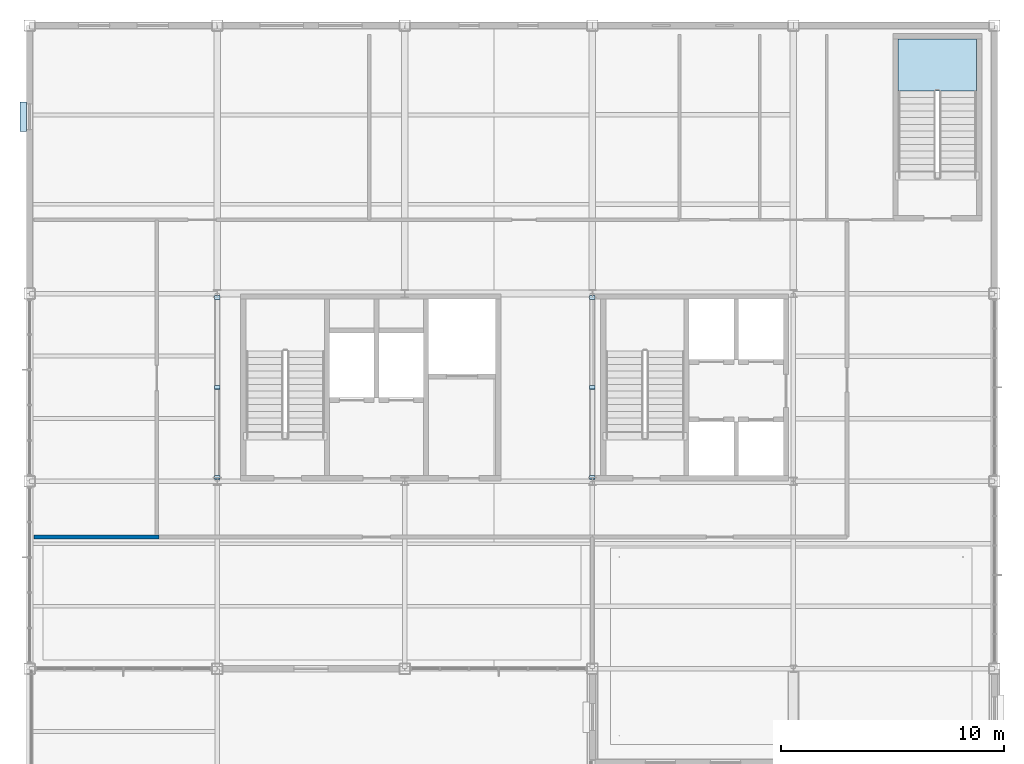
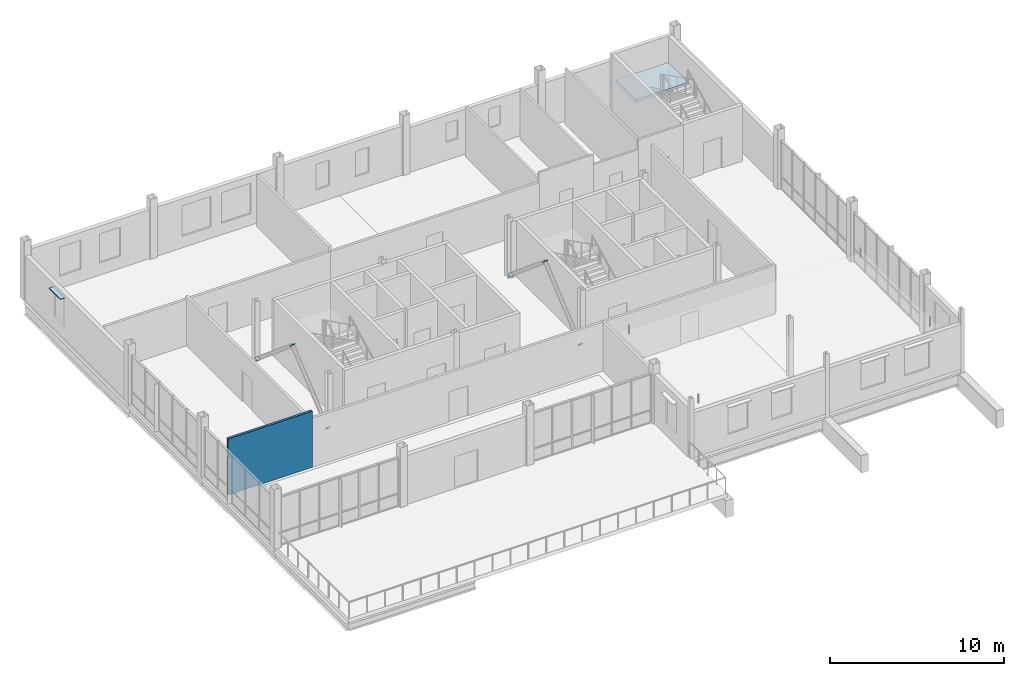
# One storey, part 13 of 22: 7 plates, 1 slab, 1 wall, 1 element without a shape of its own.
"""IFC4 building model written with IfcOpenShell, lengths in metres."""

from ifc_helpers import new_model, si_unit, direction, frame, frame_2d, origin, origin_2d, place, context, subcontext, project, spatial, polyline, rectangle, outline, extrude, material, layer, layer_set, type_object, element, aggregate, save


model = new_model("IFC4")

# Units and contexts
model_context = context("Model", 3, precision=1e-05, world=origin(), true_north=direction((0.0, 1.0)))
body_context = subcontext(model_context, "Body", "Model", "MODEL_VIEW")
ifc_project = project(units=[si_unit("LENGTHUNIT", "METRE"), si_unit("AREAUNIT", "SQUARE_METRE"), si_unit("VOLUMEUNIT", "CUBIC_METRE"), si_unit("PLANEANGLEUNIT", "RADIAN"), si_unit("MASSUNIT", "GRAM", prefix="KILO")], contexts=[model_context])

# Site, building, storey
site_placement = place(None, origin())
site = spatial("IfcSite", under=ifc_project, at=site_placement, CompositionType="ELEMENT")
building_placement = place(site_placement, origin())
building = spatial("IfcBuilding", under=site, at=building_placement, Name="Yukiwa Park Conservatory and Herbarium", CompositionType="ELEMENT")
storey_placement = place(building_placement, frame((0.0, 0.0, 35.39990234375)))
storey = spatial("IfcBuildingStorey", under=building, at=storey_placement, Name="L09", CompositionType="ELEMENT", Elevation=35.39990234375)

# Plates
ifc_material_1 = material(Name="Steel Q355D", Category="steel")
ifc_layer_1 = layer(ifc_material_1, 0.02392578125)
ifc_layer_set_1 = layer_set([ifc_layer_1], Name="Steel Q355D")
plate_type_1 = type_object("IfcPlateType", Name="PL-CAP-24-INT", PredefinedType="USERDEFINED", material=ifc_layer_set_1)
for number, where, z_axis, x_axis, name in (
    (1, (133.199951171875, 94.9765625, 0.197998046875), (0.0, -0.76570486479, -0.643192086423), (1.0, 0.0, 0.0), "Hollow section end cap plate CAP-BR-L09-049A"),
    (2, (133.199951171875, 98.993896484375, 3.56787109375), (0.0, 0.76570486479, 0.643192086423), (-1.0, 0.0, 0.0), "Hollow section end cap plate CAP-BR-L09-049B"),
    (3, (133.199951171875, 103.0234375, 0.197998046875), (0.0, 0.76570486479, -0.643192086423), (-1.0, 0.0, 0.0), "Hollow section end cap plate CAP-BR-L09-050A"),
    (4, (150.0, 94.9765625, 0.197998046875), (0.0, -0.76570486479, -0.643192086423), (1.0, 0.0, 0.0), "Hollow section end cap plate CAP-BR-L09-051A"),
    (5, (150.0, 98.993896484375, 3.56787109375), (0.0, 0.76570486479, 0.643192086423), (-1.0, 0.0, 0.0), "Hollow section end cap plate CAP-BR-L09-051B"),
    (6, (150.0, 103.0234375, 0.197998046875), (0.0, 0.76570486479, -0.643192086423), (-1.0, 0.0, 0.0), "Hollow section end cap plate CAP-BR-L09-052A"),
):
    element("IfcPlate", number, at=place(storey_placement, frame(where, z_axis=z_axis, x_axis=x_axis)), inside=storey, type_object=plate_type_1, Name=name, ObjectType="END CAP PLATE", PredefinedType="USERDEFINED", context=body_context, shape_type="SweptSolid", body=[
        extrude(rectangle(XDim=0.25244140625, YDim=0.25244140625, at=origin_2d()), origin(), (0.0, 0.0, 1.0), 0.02392578125),
    ])
ifc_material_2 = material(Name="Anodised Aluminium", Category="aluminium")
ifc_layer_2 = layer(ifc_material_2, 0.0400390625)
ifc_layer_set_2 = layer_set([ifc_layer_2], Name="Anodised Aluminium")
plate_type_2 = type_object("IfcPlateType", Name="PL-SHADE-ALU-40", PredefinedType="SHEET", material=ifc_layer_set_2)
plate_placement = place(storey_placement, frame((124.52001953125, 111.116943359375, 2.900146484375), z_axis=(0.0, 0.0, 1.0), x_axis=(0.0, -1.0, 0.0)))
element("IfcPlate", 7, at=plate_placement, inside=storey, type_object=plate_type_2, Name="L09 snow-shedding window hood 172", PredefinedType="SHEET", context=body_context, shape_type="SweptSolid", body=[
    extrude(rectangle(XDim=1.31005859375, YDim=0.300048828125, at=origin_2d()), origin(), (0.0, 0.0, 1.0), 0.0400390625),
])

# Stair, slab
ifc_material_3 = material(Name="Concrete C40", Category="concrete")
stair_type = type_object("IfcStairType", Name="ST-DOGLEG-ST-T3", PredefinedType="HALF_TURN_STAIR", material=ifc_material_3)
stair_placement = place(storey_placement, origin())
stair = element("IfcStair", 8, at=stair_placement, inside=storey, type_object=stair_type, Name="L09 Protected Smoke-Proof Stair ST-T3", PredefinedType="HALF_TURN_STAIR")
ifc_material_4 = material(Name="Concrete C40", Category="concrete")
ifc_layer_3 = layer(ifc_material_4, 0.199951171875)
ifc_layer_set_3 = layer_set([ifc_layer_3], Name="Concrete C40")
slab_type = type_object("IfcSlabType", Name="SL-LANDING-220", PredefinedType="LANDING", material=ifc_layer_set_3)
slab_placement = place(storey_placement, frame((0.0, 0.0, 1.900146484375)))
slab = element("IfcSlab", 9, at=slab_placement, type_object=slab_type, Name="ST-T3 landing 1", PredefinedType="LANDING", context=body_context, shape_type="SweptSolid", body=[
    extrude(outline(polyline([(167.199951171875, 112.280029296875), (167.199951171875, 114.60009765625), (163.68994140625, 114.60009765625), (163.68994140625, 112.280029296875), (167.199951171875, 112.280029296875)])), origin(), (0.0, 0.0, 1.0), 0.199951171875),
])
aggregate(stair, [slab])

# Wall
ifc_material_5 = material(Name="Gypsum Board Partition", Category="gypsum")
ifc_layer_4 = layer(ifc_material_5, 0.159912109375)
ifc_layer_set_4 = layer_set([ifc_layer_4], Name="Gypsum Board Partition")
wall_type = type_object("IfcWallType", Name="WL-PART-GYP-160", PredefinedType="PARTITIONING", material=ifc_layer_set_4)
wall_placement = place(storey_placement, frame((125.0, 92.300048828125, 0.0), z_axis=(0.0, 0.0, 1.0), x_axis=(1.0, 0.0, 0.0)))
element("IfcWall", 10, at=wall_placement, inside=storey, type_object=wall_type, Name="L09 interior partition wall 606", PredefinedType="PARTITIONING", context=body_context, shape_type="SweptSolid", body=[
    extrude(rectangle(XDim=5.60009765625, YDim=0.159912109375, at=frame_2d((2.800048828125, 0.0))), origin(), (0.0, 0.0, 1.0), 3.947998046875),
])

save(model, "model.ifc")
